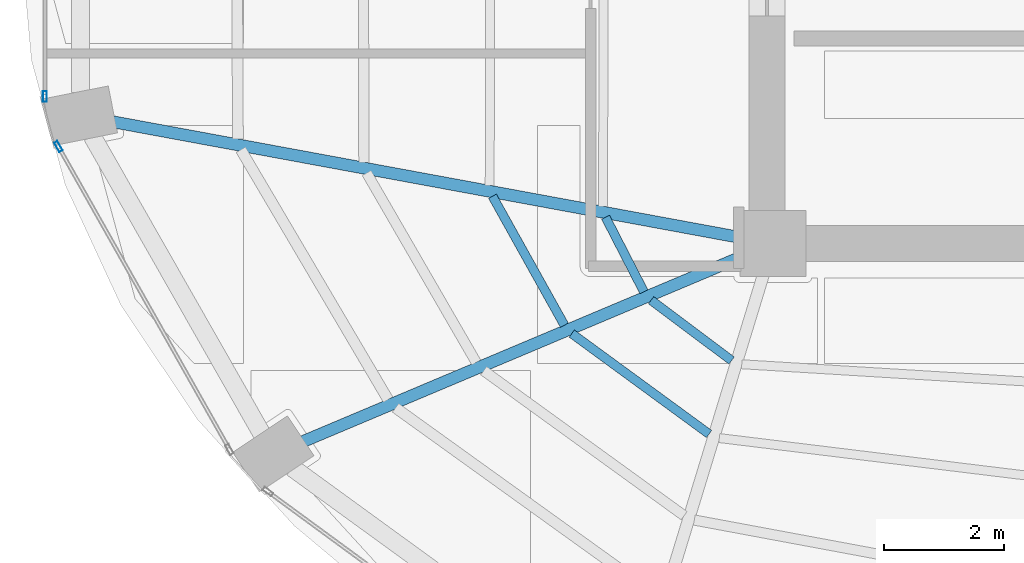
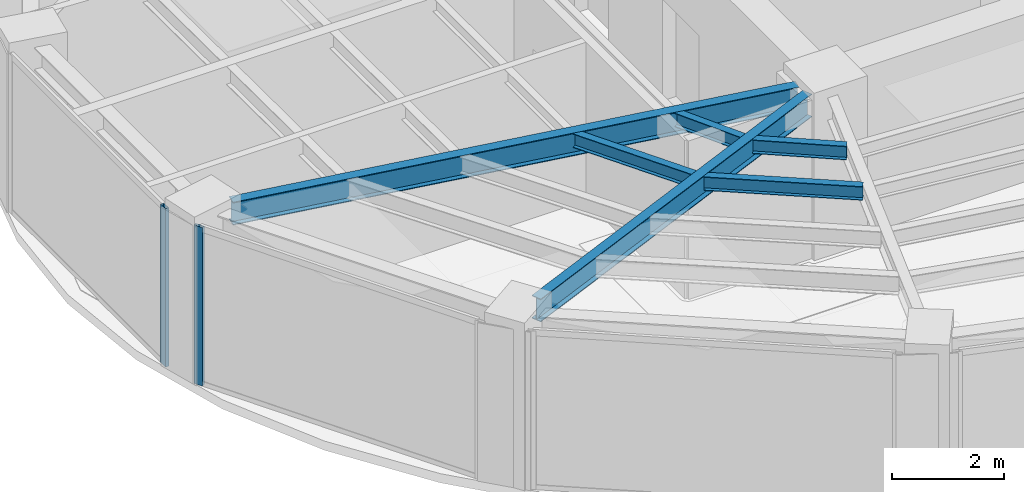
# One storey, part 4 of 23: 6 beams, 2 members, 2 elements without a shape of their own.
"""IFC4 building model written with IfcOpenShell, lengths in metres."""

from ifc_helpers import new_model, si_unit, direction, frame, origin, origin_2d, place, context, subcontext, project, spatial, hollow_rectangle, i_section, extrude, material, layer, layer_set, material_profile, profile_set, type_object, element, aggregate, save


model = new_model("IFC4")

# Units and contexts
model_context = context("Model", 3, precision=1e-05, world=origin(), true_north=direction((0.0, 1.0)))
body_context = subcontext(model_context, "Body", "Model", "MODEL_VIEW")
ifc_project = project(units=[si_unit("LENGTHUNIT", "METRE"), si_unit("AREAUNIT", "SQUARE_METRE"), si_unit("VOLUMEUNIT", "CUBIC_METRE"), si_unit("PLANEANGLEUNIT", "RADIAN"), si_unit("MASSUNIT", "GRAM", prefix="KILO")], contexts=[model_context])

# Site, building, storey
site_placement = place(None, origin())
site = spatial("IfcSite", under=ifc_project, at=site_placement, CompositionType="ELEMENT")
building_placement = place(site_placement, origin())
building = spatial("IfcBuilding", under=site, at=building_placement, Name="Lazwardi Medical Tower", CompositionType="ELEMENT")
storey_placement = place(building_placement, frame((0.0, 0.0, 205.77587890625)))
storey = spatial("IfcBuildingStorey", under=building, at=storey_placement, Name="L53", CompositionType="ELEMENT", Elevation=205.77587890625)

# Beams
ifc_material_1 = material(Name="Steel S355", Category="steel")
ifc_material_profile_1 = material_profile(ifc_material_1, i_section(OverallWidth=0.199951171875, OverallDepth=0.5, WebThickness=0.01025390625, FlangeThickness=0.01611328125, at=origin_2d()), Name="IPE 500")
ifc_profile_set_1 = profile_set([ifc_material_profile_1], Name="Steel S355")
beam_type_1 = type_object("IfcBeamType", Name="BM-RG-W3", PredefinedType="BEAM", material=ifc_profile_set_1)
beam_1_placement = place(storey_placement, frame((15.341064453125, 22.43994140625, 3.1982421875), z_axis=(0.983409341459, -0.181400295288, 0.0), x_axis=(0.181400295288, 0.983409341459, 0.0)))
element("IfcBeam", 1, at=beam_1_placement, inside=storey, type_object=beam_type_1, Name="Radial girder RG-04 R13 L53", PredefinedType="BEAM", context=body_context, shape_type="SweptSolid", body=[
    extrude(i_section(OverallWidth=0.199951171875, OverallDepth=0.5, WebThickness=0.01025390625, FlangeThickness=0.01611328125, at=origin_2d()), origin(), (0.0, 0.0, 1.0), 10.71044921875),
])
beam_2_placement = place(storey_placement, frame((18.533203125, 17.085205078125, 3.1982421875), z_axis=(0.921526791352, 0.388314785735, 0.0), x_axis=(-0.388314785735, 0.921526791352, 0.0)))
element("IfcBeam", 2, at=beam_2_placement, inside=storey, type_object=beam_type_1, Name="Radial girder RG-04 R14 L53", PredefinedType="BEAM", context=body_context, shape_type="SweptSolid", body=[
    extrude(i_section(OverallWidth=0.199951171875, OverallDepth=0.5, WebThickness=0.01025390625, FlangeThickness=0.01611328125, at=origin_2d()), origin(), (0.0, 0.0, 1.0), 8.001708984375),
])
ifc_material_profile_2 = material_profile(ifc_material_1, i_section(OverallWidth=0.14990234375, OverallDepth=0.300048828125, WebThickness=0.007080078125, FlangeThickness=0.0107421875, at=origin_2d()), Name="IPE 300")
ifc_profile_set_2 = profile_set([ifc_material_profile_2], Name="Steel S355")
beam_type_2 = type_object("IfcBeamType", Name="BM-SJ-03", PredefinedType="JOIST", material=ifc_profile_set_2)
beam_3_placement = place(storey_placement, frame((21.70703125, 21.19140625, 3.298095703125), z_axis=(0.487092942089, -0.873350139272, 0.0), x_axis=(0.873350139272, 0.487092942089, 0.0)))
element("IfcBeam", 3, at=beam_3_placement, inside=storey, type_object=beam_type_2, Name="Secondary joist SJ-03 R3 B13 L53", PredefinedType="JOIST", context=body_context, shape_type="SweptSolid", body=[
    extrude(i_section(OverallWidth=0.14990234375, OverallDepth=0.300048828125, WebThickness=0.007080078125, FlangeThickness=0.0107421875, at=origin_2d()), origin(), (0.0, 0.0, 1.0), 2.471923828125),
])
beam_4_placement = place(storey_placement, frame((23.0341796875, 18.893310546875, 3.298095703125), z_axis=(0.80703431267, -0.59050454543, 0.0), x_axis=(0.59050454543, 0.80703431267, 0.0)))
element("IfcBeam", 4, at=beam_4_placement, inside=storey, type_object=beam_type_2, Name="Secondary joist SJ-03 R3 B14 L53", PredefinedType="JOIST", context=body_context, shape_type="SweptSolid", body=[
    extrude(i_section(OverallWidth=0.14990234375, OverallDepth=0.300048828125, WebThickness=0.007080078125, FlangeThickness=0.0107421875, at=origin_2d()), origin(), (0.0, 0.0, 1.0), 2.846923828125),
])
beam_5_placement = place(storey_placement, frame((23.60009765625, 20.840087890625, 3.298095703125), z_axis=(0.457285056668, -0.889320176848, 0.0), x_axis=(0.889320176848, 0.457285056668, 0.0)))
element("IfcBeam", 5, at=beam_5_placement, inside=storey, type_object=beam_type_2, Name="Secondary joist SJ-03 R4 B13 L53", PredefinedType="JOIST", context=body_context, shape_type="SweptSolid", body=[
    extrude(i_section(OverallWidth=0.14990234375, OverallDepth=0.300048828125, WebThickness=0.007080078125, FlangeThickness=0.0107421875, at=origin_2d()), origin(), (0.0, 0.0, 1.0), 1.402099609375),
])
beam_6_placement = place(storey_placement, frame((24.36083984375, 19.451904296875, 3.298095703125), z_axis=(0.800365301971, -0.599512621553, 0.0), x_axis=(0.599512621553, 0.800365301971, 0.0)))
element("IfcBeam", 6, at=beam_6_placement, inside=storey, type_object=beam_type_2, Name="Secondary joist SJ-03 R4 B14 L53", PredefinedType="JOIST", context=body_context, shape_type="SweptSolid", body=[
    extrude(i_section(OverallWidth=0.14990234375, OverallDepth=0.300048828125, WebThickness=0.007080078125, FlangeThickness=0.0107421875, at=origin_2d()), origin(), (0.0, 0.0, 1.0), 1.68359375),
])

# Curtain wall, member
ifc_material_2 = material(Name="Anodised bronze aluminium and solar control glazing", Category="aluminium")
ifc_layer = layer(ifc_material_2, 0.18994140625)
ifc_layer_set = layer_set([ifc_layer], Name="Anodised bronze aluminium and solar control glazing")
curtain_wall_type = type_object("IfcCurtainWallType", Name="CW-SYS-04", PredefinedType="NOTDEFINED", material=ifc_layer_set)
curtain_wall_1_placement = place(storey_placement, origin())
curtain_wall_1 = element("IfcCurtainWall", 7, at=curtain_wall_1_placement, inside=storey, type_object=curtain_wall_type, Name="L53 Unitised bronze curtain wall CW-04", PredefinedType="NOTDEFINED")
ifc_material_3 = material(Name="Anodised bronze aluminium", Category="aluminium")
ifc_material_profile_3 = material_profile(ifc_material_3, hollow_rectangle(XDim=0.06494140625, YDim=0.179931640625, WallThickness=0.00390625, at=origin_2d()), Name="ALU-MULLION 180x65x4")
ifc_profile_set_3 = profile_set([ifc_material_profile_3], Name="Anodised bronze aluminium")
member_type = type_object("IfcMemberType", Name="CW-MUL-03", PredefinedType="MULLION", material=ifc_profile_set_3)
member_1_placement = place(storey_placement, frame((14.2158203125, 22.859619140625, 0.0), z_axis=(0.0, 0.0, 1.0), x_axis=(1.0, 0.0, 0.0)))
member_1 = element("IfcMember", 8, at=member_1_placement, type_object=member_type, Name="CW-04 mullion 2", PredefinedType="MULLION", context=body_context, shape_type="SweptSolid", body=[
    extrude(hollow_rectangle(XDim=0.06494140625, YDim=0.179931640625, WallThickness=0.00390625, at=origin_2d()), origin(), (0.0, 0.0, 1.0), 3.4482421875),
])
aggregate(curtain_wall_1, [member_1])

curtain_wall_2_placement = place(storey_placement, origin())
curtain_wall_2 = element("IfcCurtainWall", 9, at=curtain_wall_2_placement, inside=storey, type_object=curtain_wall_type, Name="L53 Unitised bronze curtain wall CW-04", PredefinedType="NOTDEFINED")
member_2_placement = place(storey_placement, frame((14.442626953125, 22.021728515625, 0.0), z_axis=(0.0, 0.0, 1.0), x_axis=(0.870651436011, 0.491900474661, 0.0)))
member_2 = element("IfcMember", 10, at=member_2_placement, type_object=member_type, Name="CW-04 mullion 1", PredefinedType="MULLION", context=body_context, shape_type="SweptSolid", body=[
    extrude(hollow_rectangle(XDim=0.06494140625, YDim=0.179931640625, WallThickness=0.00390625, at=origin_2d()), origin(), (0.0, 0.0, 1.0), 3.4482421875),
])
aggregate(curtain_wall_2, [member_2])

save(model, "model.ifc")
